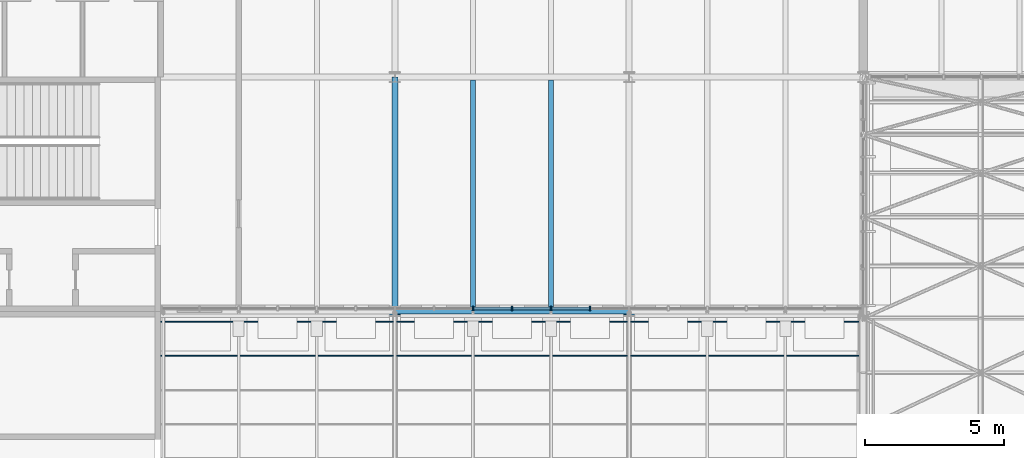
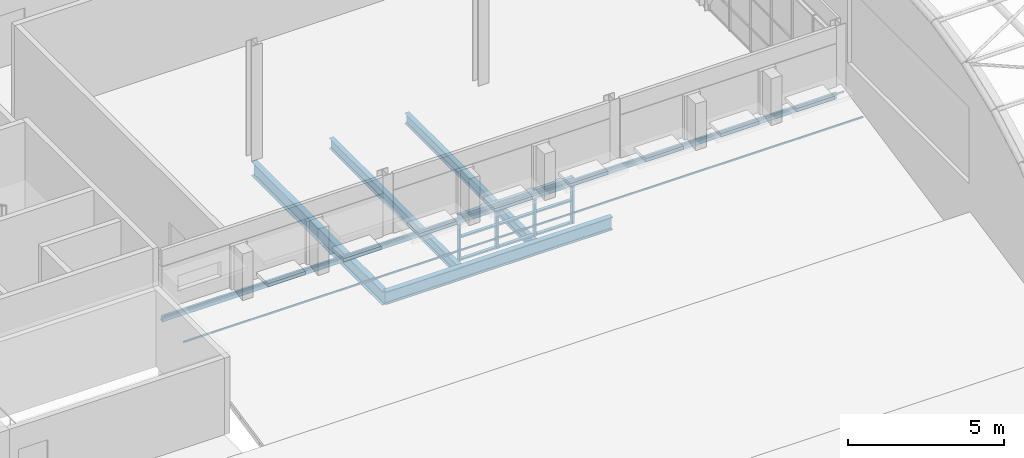
# One storey, part 37 of 121: 15 members, 5 beams, 1 element without a shape of its own.
"""IFC4 building model written with IfcOpenShell, lengths in metres."""

from ifc_helpers import new_model, si_unit, direction, frame, origin, origin_2d, place, context, subcontext, project, spatial, rectangle, hollow_rectangle, i_section, extrude, material, layer, layer_set, material_profile, profile_set, type_object, element, aggregate, save


model = new_model("IFC4")

# Units and contexts
model_context = context("Model", 3, precision=1e-05, world=origin(), true_north=direction((0.0, 1.0)))
body_context = subcontext(model_context, "Body", "Model", "MODEL_VIEW")
ifc_project = project(units=[si_unit("LENGTHUNIT", "METRE"), si_unit("AREAUNIT", "SQUARE_METRE"), si_unit("VOLUMEUNIT", "CUBIC_METRE"), si_unit("PLANEANGLEUNIT", "RADIAN"), si_unit("MASSUNIT", "GRAM", prefix="KILO")], contexts=[model_context])

# Site, building, storey
site_placement = place(None, origin())
site = spatial("IfcSite", under=ifc_project, at=site_placement, CompositionType="ELEMENT")
building_placement = place(site_placement, origin())
building = spatial("IfcBuilding", under=site, at=building_placement, Name="Ardhachandra Cancer Care Centre", CompositionType="ELEMENT")
storey_placement = place(building_placement, frame((0.0, 0.0, 9.0)))
storey = spatial("IfcBuildingStorey", under=building, at=storey_placement, Name="L02", CompositionType="ELEMENT", Elevation=9.0)

# Beams
ifc_material_1 = material(Name="Steel E350 (IS 2062)", Category="steel")
ifc_material_profile_1 = material_profile(ifc_material_1, i_section(OverallWidth=0.179931640625, OverallDepth=0.39990234375, WebThickness=0.008544921875, FlangeThickness=0.013427734375, FilletRadius=0.02099609375, at=origin_2d()), Name="NPB 400x180x66.30")
ifc_profile_set_1 = profile_set([ifc_material_profile_1], Name="Steel E350 (IS 2062)")
beam_type_1 = type_object("IfcBeamType", Name="Beam NPB 400x180x66.30", PredefinedType="BEAM", material=ifc_profile_set_1)
for number, where, z_axis, x_axis, name in (
    (1, (30.39990234375, 71.5, -0.35009765625), (0.0, 1.0, 0.0), (-1.0, 0.0, 0.0), "Secondary H3-J3@2800"),
    (2, (33.199951171875, 71.5, -0.35009765625), (0.0, 1.0, 0.0), (-1.0, 0.0, 0.0), "Secondary H3-J3@5600"),
):
    element("IfcBeam", number, at=place(storey_placement, frame(where, z_axis=z_axis, x_axis=x_axis)), inside=storey, type_object=beam_type_1, Name=name, PredefinedType="BEAM", context=body_context, shape_type="SweptSolid", body=[
        extrude(i_section(OverallWidth=0.179931640625, OverallDepth=0.39990234375, WebThickness=0.008544921875, FlangeThickness=0.013427734375, FilletRadius=0.02099609375, at=origin_2d()), origin(), (0.0, 0.0, 1.0), 8.195068359375),
    ])
ifc_material_2 = material(Name="Steel E350 (IS 2062)", Category="steel")
ifc_material_profile_2 = material_profile(ifc_material_2, i_section(OverallWidth=0.199951171875, OverallDepth=0.5, WebThickness=0.01025390625, FlangeThickness=0.01611328125, FilletRadius=0.02099609375, at=origin_2d()), Name="NPB 500x200x90.68")
ifc_profile_set_2 = profile_set([ifc_material_profile_2], Name="Steel E350 (IS 2062)")
beam_type_2 = type_object("IfcBeamType", Name="Beam NPB 500x200x90.68", PredefinedType="BEAM", material=ifc_profile_set_2)
beam_1_placement = place(storey_placement, frame((27.60009765625, 71.39990234375, -0.39990234375), z_axis=(1.0, 0.0, 0.0), x_axis=(0.0, 1.0, 0.0)))
element("IfcBeam", 3, at=beam_1_placement, inside=storey, type_object=beam_type_2, Name="Edge girder H3-H4", PredefinedType="BEAM", context=body_context, shape_type="SweptSolid", body=[
    extrude(i_section(OverallWidth=0.199951171875, OverallDepth=0.5, WebThickness=0.01025390625, FlangeThickness=0.01611328125, FilletRadius=0.02099609375, at=origin_2d()), origin(), (0.0, 0.0, 1.0), 8.39990234375),
])
ifc_material_3 = material(Name="Steel E350 (IS 2062)", Category="steel")
ifc_material_profile_3 = material_profile(ifc_material_3, i_section(OverallWidth=0.2099609375, OverallDepth=0.550048828125, WebThickness=0.010986328125, FlangeThickness=0.01708984375, FilletRadius=0.02392578125, at=origin_2d()), Name="NPB 550x210x105.52")
ifc_profile_set_3 = profile_set([ifc_material_profile_3], Name="Steel E350 (IS 2062)")
beam_type_3 = type_object("IfcBeamType", Name="Beam NPB 550x210x105.52", PredefinedType="BEAM", material=ifc_profile_set_3)
beam_2_placement = place(storey_placement, frame((27.60009765625, 71.39990234375, -0.425048828125), z_axis=(0.0, 1.0, 0.0), x_axis=(-1.0, 0.0, 0.0)))
element("IfcBeam", 4, at=beam_2_placement, inside=storey, type_object=beam_type_3, Name="Girder H3-J3", PredefinedType="BEAM", context=body_context, shape_type="SweptSolid", body=[
    extrude(i_section(OverallWidth=0.2099609375, OverallDepth=0.550048828125, WebThickness=0.010986328125, FlangeThickness=0.01708984375, FilletRadius=0.02392578125, at=origin_2d()), origin(), (0.0, 0.0, 1.0), 8.400146484375),
])

# Curtain wall, members
ifc_material_4 = material(Name="Aluminium extrusion", Category="aluminium")
ifc_layer = layer(ifc_material_4, 0.14990234375)
ifc_layer_set = layer_set([ifc_layer], Name="Aluminium extrusion")
curtain_wall_type = type_object("IfcCurtainWallType", Name="Curtain wall run", PredefinedType="NOTDEFINED", material=ifc_layer_set)
curtain_wall_placement = place(storey_placement, origin())
curtain_wall = element("IfcCurtainWall", 5, at=curtain_wall_placement, inside=storey, type_object=curtain_wall_type, Name="Curtain wall L02 n/0019200_0071500", PredefinedType="NOTDEFINED")
ifc_material_5 = material(Name="Aluminium extrusion", Category="aluminium")
ifc_material_profile_4 = material_profile(ifc_material_5, rectangle(XDim=0.159912109375, YDim=0.06005859375, at=origin_2d()), Name="Curtain wall mullion 60 x 160")
ifc_profile_set_4 = profile_set([ifc_material_profile_4], Name="Aluminium extrusion")
member_type_1 = type_object("IfcMemberType", Name="Curtain wall mullion 60 x 160", PredefinedType="MULLION", material=ifc_profile_set_4)
member_1_placement = place(storey_placement, frame((30.39990234375, 71.5, 0.0), z_axis=(0.0, 0.0, 1.0), x_axis=(0.0, 1.0, 0.0)))
member_1 = element("IfcMember", 6, at=member_1_placement, type_object=member_type_1, Name="CW mullion 9", PredefinedType="MULLION", context=body_context, shape_type="SweptSolid", body=[
    extrude(rectangle(XDim=0.159912109375, YDim=0.06005859375, at=origin_2d()), origin(), (0.0, 0.0, 1.0), 1.820068359375),
])
member_2_placement = place(storey_placement, frame((31.800048828125, 71.5, 0.0), z_axis=(0.0, 0.0, 1.0), x_axis=(0.0, 1.0, 0.0)))
member_2 = element("IfcMember", 7, at=member_2_placement, type_object=member_type_1, Name="CW mullion 10", PredefinedType="MULLION", context=body_context, shape_type="SweptSolid", body=[
    extrude(rectangle(XDim=0.159912109375, YDim=0.06005859375, at=origin_2d()), origin(), (0.0, 0.0, 1.0), 1.820068359375),
])
member_3_placement = place(storey_placement, frame((33.199951171875, 71.5, 0.0), z_axis=(0.0, 0.0, 1.0), x_axis=(0.0, 1.0, 0.0)))
member_3 = element("IfcMember", 8, at=member_3_placement, type_object=member_type_1, Name="CW mullion 11", PredefinedType="MULLION", context=body_context, shape_type="SweptSolid", body=[
    extrude(rectangle(XDim=0.159912109375, YDim=0.06005859375, at=origin_2d()), origin(), (0.0, 0.0, 1.0), 1.820068359375),
])
member_4_placement = place(storey_placement, frame((34.60009765625, 71.5, 0.0), z_axis=(0.0, 0.0, 1.0), x_axis=(0.0, 1.0, 0.0)))
member_4 = element("IfcMember", 9, at=member_4_placement, type_object=member_type_1, Name="CW mullion 12", PredefinedType="MULLION", context=body_context, shape_type="SweptSolid", body=[
    extrude(rectangle(XDim=0.159912109375, YDim=0.06005859375, at=origin_2d()), origin(), (0.0, 0.0, 1.0), 1.820068359375),
])
ifc_material_6 = material(Name="Aluminium extrusion", Category="aluminium")
ifc_material_profile_5 = material_profile(ifc_material_6, rectangle(XDim=0.1201171875, YDim=0.06005859375, at=origin_2d()), Name="Curtain wall transom 60 x 120")
ifc_profile_set_5 = profile_set([ifc_material_profile_5], Name="Aluminium extrusion")
member_type_2 = type_object("IfcMemberType", Name="Curtain wall transom 60 x 120", PredefinedType="USERDEFINED", material=ifc_profile_set_5)
member_5_placement = place(storey_placement, frame((30.429931640625, 71.5, 0.030029296875), z_axis=(1.0, 0.0, 0.0), x_axis=(0.0, 1.0, 0.0)))
member_5 = element("IfcMember", 10, at=member_5_placement, type_object=member_type_2, Name="CW transom 9.1", ObjectType="TRANSOM", PredefinedType="USERDEFINED", context=body_context, shape_type="SweptSolid", body=[
    extrude(rectangle(XDim=0.1201171875, YDim=0.06005859375, at=origin_2d()), origin(), (0.0, 0.0, 1.0), 1.340087890625),
])
member_6_placement = place(storey_placement, frame((30.429931640625, 71.5, 0.909912109375), z_axis=(1.0, 0.0, 0.0), x_axis=(0.0, 1.0, 0.0)))
member_6 = element("IfcMember", 11, at=member_6_placement, type_object=member_type_2, Name="CW transom 9.2", ObjectType="TRANSOM", PredefinedType="USERDEFINED", context=body_context, shape_type="SweptSolid", body=[
    extrude(rectangle(XDim=0.1201171875, YDim=0.06005859375, at=origin_2d()), origin(), (0.0, 0.0, 1.0), 1.340087890625),
])
member_7_placement = place(storey_placement, frame((30.429931640625, 71.5, 1.7900390625), z_axis=(1.0, 0.0, 0.0), x_axis=(0.0, 1.0, 0.0)))
member_7 = element("IfcMember", 12, at=member_7_placement, type_object=member_type_2, Name="CW transom 9.3", ObjectType="TRANSOM", PredefinedType="USERDEFINED", context=body_context, shape_type="SweptSolid", body=[
    extrude(rectangle(XDim=0.1201171875, YDim=0.06005859375, at=origin_2d()), origin(), (0.0, 0.0, 1.0), 1.340087890625),
])
member_8_placement = place(storey_placement, frame((31.830078125, 71.5, 0.030029296875), z_axis=(1.0, 0.0, 0.0), x_axis=(0.0, 1.0, 0.0)))
member_8 = element("IfcMember", 13, at=member_8_placement, type_object=member_type_2, Name="CW transom 10.1", ObjectType="TRANSOM", PredefinedType="USERDEFINED", context=body_context, shape_type="SweptSolid", body=[
    extrude(rectangle(XDim=0.1201171875, YDim=0.06005859375, at=origin_2d()), origin(), (0.0, 0.0, 1.0), 1.33984375),
])
member_9_placement = place(storey_placement, frame((31.830078125, 71.5, 0.909912109375), z_axis=(1.0, 0.0, 0.0), x_axis=(0.0, 1.0, 0.0)))
member_9 = element("IfcMember", 14, at=member_9_placement, type_object=member_type_2, Name="CW transom 10.2", ObjectType="TRANSOM", PredefinedType="USERDEFINED", context=body_context, shape_type="SweptSolid", body=[
    extrude(rectangle(XDim=0.1201171875, YDim=0.06005859375, at=origin_2d()), origin(), (0.0, 0.0, 1.0), 1.33984375),
])
member_10_placement = place(storey_placement, frame((31.830078125, 71.5, 1.7900390625), z_axis=(1.0, 0.0, 0.0), x_axis=(0.0, 1.0, 0.0)))
member_10 = element("IfcMember", 15, at=member_10_placement, type_object=member_type_2, Name="CW transom 10.3", ObjectType="TRANSOM", PredefinedType="USERDEFINED", context=body_context, shape_type="SweptSolid", body=[
    extrude(rectangle(XDim=0.1201171875, YDim=0.06005859375, at=origin_2d()), origin(), (0.0, 0.0, 1.0), 1.33984375),
])
member_11_placement = place(storey_placement, frame((33.22998046875, 71.5, 0.030029296875), z_axis=(1.0, 0.0, 0.0), x_axis=(0.0, 1.0, 0.0)))
member_11 = element("IfcMember", 16, at=member_11_placement, type_object=member_type_2, Name="CW transom 11.1", ObjectType="TRANSOM", PredefinedType="USERDEFINED", context=body_context, shape_type="SweptSolid", body=[
    extrude(rectangle(XDim=0.1201171875, YDim=0.06005859375, at=origin_2d()), origin(), (0.0, 0.0, 1.0), 1.340087890625),
])
member_12_placement = place(storey_placement, frame((33.22998046875, 71.5, 0.909912109375), z_axis=(1.0, 0.0, 0.0), x_axis=(0.0, 1.0, 0.0)))
member_12 = element("IfcMember", 17, at=member_12_placement, type_object=member_type_2, Name="CW transom 11.2", ObjectType="TRANSOM", PredefinedType="USERDEFINED", context=body_context, shape_type="SweptSolid", body=[
    extrude(rectangle(XDim=0.1201171875, YDim=0.06005859375, at=origin_2d()), origin(), (0.0, 0.0, 1.0), 1.340087890625),
])
member_13_placement = place(storey_placement, frame((33.22998046875, 71.5, 1.7900390625), z_axis=(1.0, 0.0, 0.0), x_axis=(0.0, 1.0, 0.0)))
member_13 = element("IfcMember", 18, at=member_13_placement, type_object=member_type_2, Name="CW transom 11.3", ObjectType="TRANSOM", PredefinedType="USERDEFINED", context=body_context, shape_type="SweptSolid", body=[
    extrude(rectangle(XDim=0.1201171875, YDim=0.06005859375, at=origin_2d()), origin(), (0.0, 0.0, 1.0), 1.340087890625),
])
aggregate(curtain_wall, [member_1, member_2, member_3, member_4, member_5, member_6, member_7, member_8, member_9, member_10, member_11, member_12, member_13])

# Members
ifc_material_7 = material(Name="Steel E350 (IS 2062)", Category="steel")
ifc_material_profile_6 = material_profile(ifc_material_7, hollow_rectangle(XDim=0.0400390625, YDim=0.080078125, WallThickness=0.00390625, InnerFilletRadius=0.00390625, OuterFilletRadius=0.008056640625, at=origin_2d()), Name="RHS 80x40x4.0")
ifc_profile_set_6 = profile_set([ifc_material_profile_6], Name="Steel E350 (IS 2062)")
member_type_3 = type_object("IfcMemberType", Name="Roof purlin RHS 80x40x4.0", PredefinedType="PURLIN", material=ifc_profile_set_6)
for number, where, z_axis, x_axis, name in (
    (19, (19.199951171875, 69.8056640625, 1.741943359375), (1.0, 0.0, 0.0), (0.0, 0.980106641092, 0.198471590126), "Purlin T5a.6"),
    (20, (19.199951171875, 71.032470703125, 1.990478515625), (1.0, 0.0, 0.0), (0.0, 0.980106641092, 0.198471590126), "Purlin T5a.7"),
):
    element("IfcMember", number, at=place(storey_placement, frame(where, z_axis=z_axis, x_axis=x_axis)), inside=storey, type_object=member_type_3, Name=name, PredefinedType="PURLIN", context=body_context, shape_type="SweptSolid", body=[
        extrude(hollow_rectangle(XDim=0.0400390625, YDim=0.080078125, WallThickness=0.00390625, InnerFilletRadius=0.00390625, OuterFilletRadius=0.008056640625, at=origin_2d()), origin(), (0.0, 0.0, 1.0), 25.199951171875),
    ])

# Beam
ifc_material_8 = material(Name="Steel E350 (IS 2062)", Category="steel")
ifc_material_profile_7 = material_profile(ifc_material_8, hollow_rectangle(XDim=0.1201171875, YDim=0.239990234375, WallThickness=0.006103515625, InnerFilletRadius=0.006103515625, OuterFilletRadius=0.011962890625, at=origin_2d()), Name="RHS 240x120x6.0")
ifc_profile_set_7 = profile_set([ifc_material_profile_7], Name="Steel E350 (IS 2062)")
beam_type_4 = type_object("IfcBeamType", Name="Sawtooth ridge beam RHS 240x120x6.0", PredefinedType="BEAM", material=ifc_profile_set_7)
beam_3_placement = place(storey_placement, frame((19.300048828125, 71.35009765625, 1.6875), z_axis=(1.0, 0.0, 0.0), x_axis=(0.0, 0.980106641092, 0.198471590126)))
element("IfcBeam", 21, at=beam_3_placement, inside=storey, type_object=beam_type_4, Name="Ridge beam T5a", PredefinedType="BEAM", context=body_context, shape_type="SweptSolid", body=[
    extrude(hollow_rectangle(XDim=0.1201171875, YDim=0.239990234375, WallThickness=0.006103515625, InnerFilletRadius=0.006103515625, OuterFilletRadius=0.011962890625, at=origin_2d()), origin(), (0.0, 0.0, 1.0), 25.0),
])

save(model, "model.ifc")
